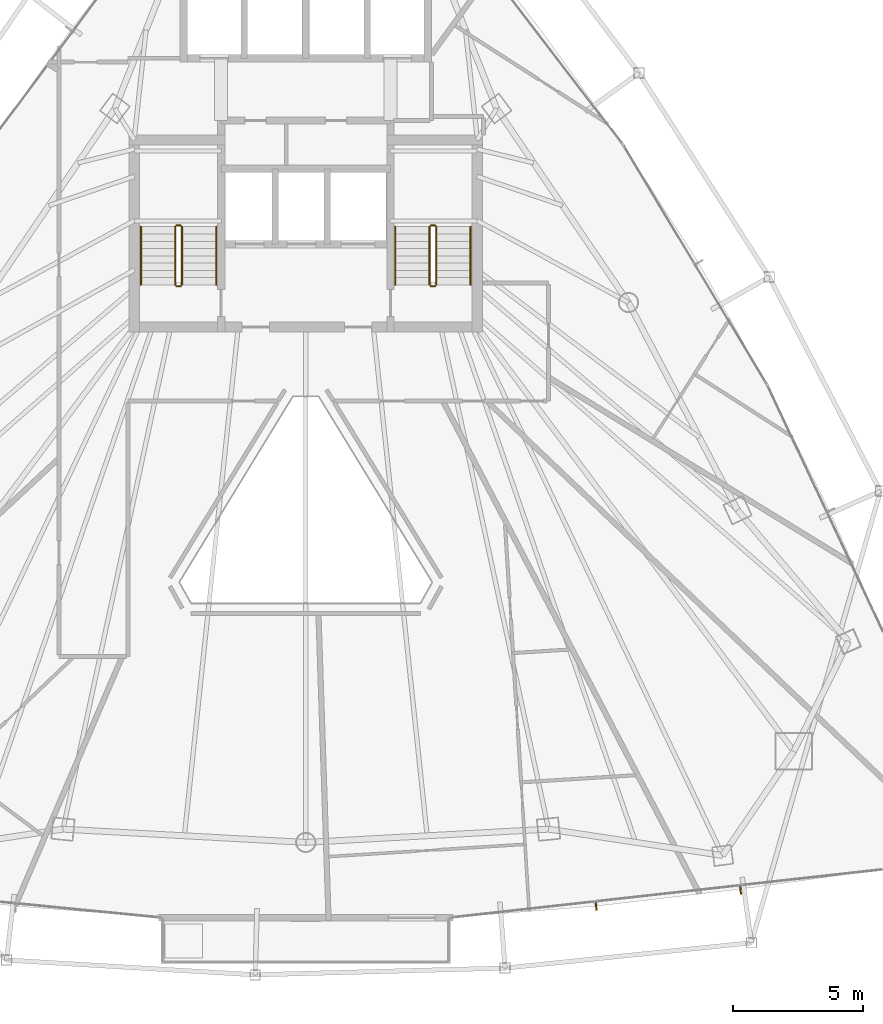
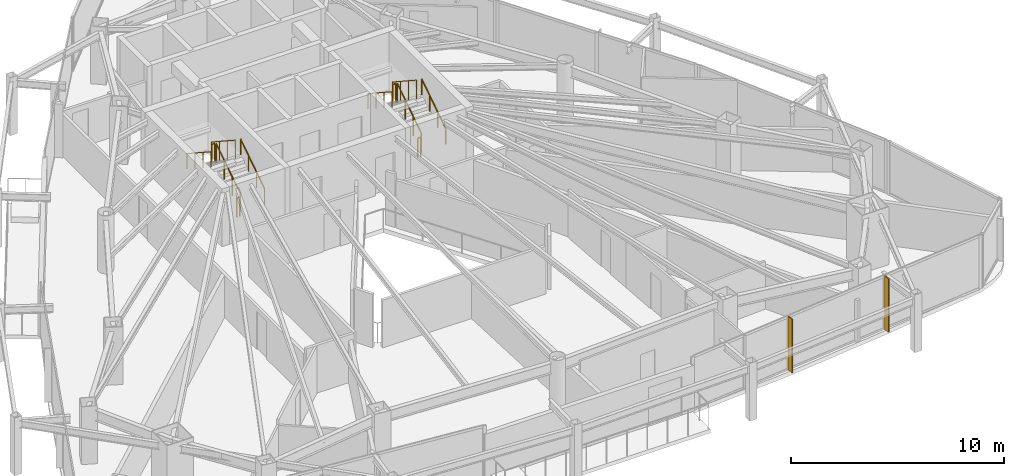
# One storey, part 28 of 29: 12 railings, 2 shading devices.
"""IFC4 building model written with IfcOpenShell, lengths in metres."""

from ifc_helpers import new_model, si_unit, direction, frame, origin, origin_2d, place, context, subcontext, project, spatial, rectangle, circle, extrude, material, layer, layer_set, type_object, element, save


model = new_model("IFC4")

# Units and contexts
model_context = context("Model", 3, precision=1e-05, world=origin(), true_north=direction((0.0, 1.0)))
body_context = subcontext(model_context, "Body", "Model", "MODEL_VIEW")
ifc_project = project(units=[si_unit("LENGTHUNIT", "METRE"), si_unit("AREAUNIT", "SQUARE_METRE"), si_unit("VOLUMEUNIT", "CUBIC_METRE"), si_unit("PLANEANGLEUNIT", "RADIAN"), si_unit("MASSUNIT", "GRAM", prefix="KILO")], contexts=[model_context])

# Site, building, storey
site_placement = place(None, origin())
site = spatial("IfcSite", under=ifc_project, at=site_placement, CompositionType="ELEMENT")
building_placement = place(site_placement, origin())
building = spatial("IfcBuilding", under=site, at=building_placement, Name="Orvanel Arch Residences", CompositionType="ELEMENT")
storey_placement = place(building_placement, frame((0.0, 0.0, 170.449951171875)))
storey = spatial("IfcBuildingStorey", under=building, at=storey_placement, Name="L48", CompositionType="ELEMENT", Elevation=170.449951171875)

# Shading devices
ifc_material_1 = material(Name="Bronze-anodised aluminium AA6063-T6", Category="aluminium")
ifc_layer = layer(ifc_material_1, 0.054931640625)
ifc_layer_set = layer_set([ifc_layer], Name="Bronze-anodised aluminium AA6063-T6")
shading_device_type = type_object("IfcShadingDeviceType", Name="FIN-BRZ-320", PredefinedType="USERDEFINED", material=ifc_layer_set)
for number, where, z_axis, x_axis, name in (
    (1, (44.18408203125, 4.382080078125, 0.0), (0.0, 0.0, 1.0), (0.111468932206, -0.993767919161, 0.0), "L48 Anodised Bronze Mullion FIN 01"),
    (2, (49.7490234375, 5.001953125, 0.0), (0.0, 0.0, 1.0), (0.111468932206, -0.993767919161, 0.0), "L48 Anodised Bronze Mullion FIN 02"),
):
    element("IfcShadingDevice", number, at=place(storey_placement, frame(where, z_axis=z_axis, x_axis=x_axis)), inside=storey, type_object=shading_device_type, Name=name, ObjectType="FIN", PredefinedType="USERDEFINED", context=body_context, shape_type="SweptSolid", body=[
        extrude(rectangle(XDim=0.320068359375, YDim=0.054931640625, at=origin_2d()), origin(), (0.0, 0.0, 1.0), 3.06005859375),
    ])

# Railings
ifc_material_2 = material(Name="Structural steel AS/NZS 1163 C350L0 (Grade 350)", Category="steel")
railing_type_1 = type_object("IfcRailingType", Name="RL-STAIR-GUARD", PredefinedType="GUARDRAIL", material=ifc_material_2)
railing_1_placement = place(storey_placement, frame((28.22998046875, 28.320068359375, 0.183349609375)))
element("IfcRailing", 3, at=railing_1_placement, inside=storey, type_object=railing_type_1, Name="L48 ST-1 stair guard 1", PredefinedType="GUARDRAIL", context=body_context, shape_type="SweptSolid", body=[
    extrude(circle(Radius=0.02392578125, at=origin_2d()), frame((0.0, 0.001220703125, 1.076904296875), z_axis=(0.0, 0.836595146698, 0.547821650285), x_axis=(-1.0, 0.0, 0.0)), (0.0, 0.0, 1.0), 2.674560546875),
    extrude(circle(Radius=0.02099609375, at=origin_2d()), origin(), (0.0, 0.0, 1.0), 1.050048828125),
    extrude(circle(Radius=0.02099609375, at=origin_2d()), frame((0.0, 0.74658203125, 0.489013671875)), (0.0, 0.0, 1.0), 1.050048828125),
    extrude(circle(Radius=0.02099609375, at=origin_2d()), frame((0.0, 1.493408203125, 0.977783203125)), (0.0, 0.0, 1.0), 1.050048828125),
    extrude(circle(Radius=0.02099609375, at=origin_2d()), frame((0.0, 2.239990234375, 1.466796875)), (0.0, 0.0, 1.0), 1.050048828125),
])
railing_2_placement = place(storey_placement, frame((28.179931640625, 30.610107421875, 1.650146484375)))
element("IfcRailing", 4, at=railing_2_placement, inside=storey, type_object=railing_type_1, Name="L48 ST-1 stair guard 2", PredefinedType="GUARDRAIL", context=body_context, shape_type="SweptSolid", body=[
    extrude(circle(Radius=0.02392578125, at=origin_2d()), frame((-0.00146484375, 0.0, 1.076171875), z_axis=(-1.0, 0.0, 0.0), x_axis=(0.0, -1.0, 0.0)), (0.0, 0.0, 1.0), 0.156982421875),
    extrude(circle(Radius=0.02099609375, at=origin_2d()), origin(), (0.0, 0.0, 1.0), 1.050048828125),
    extrude(circle(Radius=0.02099609375, at=origin_2d()), frame((-0.159912109375, 0.0, 0.0)), (0.0, 0.0, 1.0), 1.050048828125),
])
railing_3_placement = place(storey_placement, frame((27.969970703125, 30.56005859375, 1.83349609375)))
element("IfcRailing", 5, at=railing_3_placement, inside=storey, type_object=railing_type_1, Name="L48 ST-1 stair guard 3", PredefinedType="GUARDRAIL", context=body_context, shape_type="SweptSolid", body=[
    extrude(circle(Radius=0.02392578125, at=origin_2d()), frame((0.0, -0.001220703125, 1.076904296875), z_axis=(0.0, -0.836636935527, 0.547757827979), x_axis=(1.0, 0.0, 0.0)), (0.0, 0.0, 1.0), 2.67431640625),
    extrude(circle(Radius=0.02099609375, at=origin_2d()), origin(), (0.0, 0.0, 1.0), 1.050048828125),
    extrude(circle(Radius=0.02099609375, at=origin_2d()), frame((0.0, -0.74658203125, 0.48876953125)), (0.0, 0.0, 1.0), 1.050048828125),
    extrude(circle(Radius=0.02099609375, at=origin_2d()), frame((0.0, -1.493408203125, 0.977783203125)), (0.0, 0.0, 1.0), 1.050048828125),
    extrude(circle(Radius=0.02099609375, at=origin_2d()), frame((0.0, -2.239990234375, 1.466552734375)), (0.0, 0.0, 1.0), 1.050048828125),
])
railing_4_placement = place(storey_placement, frame((28.179931640625, 28.27001953125, 0.0)))
element("IfcRailing", 6, at=railing_4_placement, inside=storey, type_object=railing_type_1, Name="L48 ST-1 stair guard 4", PredefinedType="GUARDRAIL", context=body_context, shape_type="SweptSolid", body=[
    extrude(circle(Radius=0.02392578125, at=origin_2d()), frame((-0.00146484375, 0.0, 1.076171875), z_axis=(-1.0, 0.0, 0.0), x_axis=(0.0, -1.0, 0.0)), (0.0, 0.0, 1.0), 0.156982421875),
    extrude(circle(Radius=0.02099609375, at=origin_2d()), origin(), (0.0, 0.0, 1.0), 1.050048828125),
    extrude(circle(Radius=0.02099609375, at=origin_2d()), frame((-0.159912109375, 0.0, 0.0)), (0.0, 0.0, 1.0), 1.050048828125),
])
railing_5_placement = place(storey_placement, frame((38.030029296875, 28.320068359375, 0.183349609375)))
element("IfcRailing", 7, at=railing_5_placement, inside=storey, type_object=railing_type_1, Name="L48 ST-2 stair guard 1", PredefinedType="GUARDRAIL", context=body_context, shape_type="SweptSolid", body=[
    extrude(circle(Radius=0.02392578125, at=origin_2d()), frame((0.0, 0.001220703125, 1.076904296875), z_axis=(0.0, 0.836595146698, 0.547821650285), x_axis=(-1.0, 0.0, 0.0)), (0.0, 0.0, 1.0), 2.674560546875),
    extrude(circle(Radius=0.02099609375, at=origin_2d()), origin(), (0.0, 0.0, 1.0), 1.050048828125),
    extrude(circle(Radius=0.02099609375, at=origin_2d()), frame((0.0, 0.74658203125, 0.489013671875)), (0.0, 0.0, 1.0), 1.050048828125),
    extrude(circle(Radius=0.02099609375, at=origin_2d()), frame((0.0, 1.493408203125, 0.977783203125)), (0.0, 0.0, 1.0), 1.050048828125),
    extrude(circle(Radius=0.02099609375, at=origin_2d()), frame((0.0, 2.239990234375, 1.466796875)), (0.0, 0.0, 1.0), 1.050048828125),
])
railing_6_placement = place(storey_placement, frame((37.97998046875, 30.610107421875, 1.650146484375)))
element("IfcRailing", 8, at=railing_6_placement, inside=storey, type_object=railing_type_1, Name="L48 ST-2 stair guard 2", PredefinedType="GUARDRAIL", context=body_context, shape_type="SweptSolid", body=[
    extrude(circle(Radius=0.02392578125, at=origin_2d()), frame((-0.00146484375, 0.0, 1.076171875), z_axis=(-1.0, 0.0, 0.0), x_axis=(0.0, -1.0, 0.0)), (0.0, 0.0, 1.0), 0.156982421875),
    extrude(circle(Radius=0.02099609375, at=origin_2d()), origin(), (0.0, 0.0, 1.0), 1.050048828125),
    extrude(circle(Radius=0.02099609375, at=origin_2d()), frame((-0.159912109375, 0.0, 0.0)), (0.0, 0.0, 1.0), 1.050048828125),
])
railing_7_placement = place(storey_placement, frame((37.77001953125, 30.56005859375, 1.83349609375)))
element("IfcRailing", 9, at=railing_7_placement, inside=storey, type_object=railing_type_1, Name="L48 ST-2 stair guard 3", PredefinedType="GUARDRAIL", context=body_context, shape_type="SweptSolid", body=[
    extrude(circle(Radius=0.02392578125, at=origin_2d()), frame((0.0, -0.001220703125, 1.076904296875), z_axis=(0.0, -0.836636935527, 0.547757827979), x_axis=(1.0, 0.0, 0.0)), (0.0, 0.0, 1.0), 2.67431640625),
    extrude(circle(Radius=0.02099609375, at=origin_2d()), origin(), (0.0, 0.0, 1.0), 1.050048828125),
    extrude(circle(Radius=0.02099609375, at=origin_2d()), frame((0.0, -0.74658203125, 0.48876953125)), (0.0, 0.0, 1.0), 1.050048828125),
    extrude(circle(Radius=0.02099609375, at=origin_2d()), frame((0.0, -1.493408203125, 0.977783203125)), (0.0, 0.0, 1.0), 1.050048828125),
    extrude(circle(Radius=0.02099609375, at=origin_2d()), frame((0.0, -2.239990234375, 1.466552734375)), (0.0, 0.0, 1.0), 1.050048828125),
])
railing_8_placement = place(storey_placement, frame((37.97998046875, 28.27001953125, 0.0)))
element("IfcRailing", 10, at=railing_8_placement, inside=storey, type_object=railing_type_1, Name="L48 ST-2 stair guard 4", PredefinedType="GUARDRAIL", context=body_context, shape_type="SweptSolid", body=[
    extrude(circle(Radius=0.02392578125, at=origin_2d()), frame((-0.00146484375, 0.0, 1.076171875), z_axis=(-1.0, 0.0, 0.0), x_axis=(0.0, -1.0, 0.0)), (0.0, 0.0, 1.0), 0.156982421875),
    extrude(circle(Radius=0.02099609375, at=origin_2d()), origin(), (0.0, 0.0, 1.0), 1.050048828125),
    extrude(circle(Radius=0.02099609375, at=origin_2d()), frame((-0.159912109375, 0.0, 0.0)), (0.0, 0.0, 1.0), 1.050048828125),
])
railing_type_2 = type_object("IfcRailingType", Name="RL-STAIR-HAND", PredefinedType="HANDRAIL", material=ifc_material_2)
railing_9_placement = place(storey_placement, frame((29.550048828125, 28.320068359375, 0.183349609375)))
element("IfcRailing", 11, at=railing_9_placement, inside=storey, type_object=railing_type_2, Name="L48 ST-1 stair handrail 1", PredefinedType="HANDRAIL", context=body_context, shape_type="SweptSolid", body=[
    extrude(circle(Radius=0.02392578125, at=origin_2d()), frame((0.0, 0.001220703125, 0.876708984375), z_axis=(0.0, 0.836595146698, 0.547821650285), x_axis=(-1.0, 0.0, 0.0)), (0.0, 0.0, 1.0), 2.674560546875),
    extrude(circle(Radius=0.02099609375, at=origin_2d()), origin(), (0.0, 0.0, 1.0), 0.849853515625),
    extrude(circle(Radius=0.02099609375, at=origin_2d()), frame((0.0, 0.74658203125, 0.489013671875)), (0.0, 0.0, 1.0), 0.849853515625),
    extrude(circle(Radius=0.02099609375, at=origin_2d()), frame((0.0, 1.493408203125, 0.977783203125)), (0.0, 0.0, 1.0), 0.849853515625),
    extrude(circle(Radius=0.02099609375, at=origin_2d()), frame((0.0, 2.239990234375, 1.466796875)), (0.0, 0.0, 1.0), 0.849853515625),
])
railing_10_placement = place(storey_placement, frame((26.64990234375, 30.56005859375, 1.83349609375)))
element("IfcRailing", 12, at=railing_10_placement, inside=storey, type_object=railing_type_2, Name="L48 ST-1 stair handrail 2", PredefinedType="HANDRAIL", context=body_context, shape_type="SweptSolid", body=[
    extrude(circle(Radius=0.02392578125, at=origin_2d()), frame((0.0, -0.001220703125, 0.876708984375), z_axis=(0.0, -0.836636935527, 0.547757827979), x_axis=(1.0, 0.0, 0.0)), (0.0, 0.0, 1.0), 2.67431640625),
    extrude(circle(Radius=0.02099609375, at=origin_2d()), origin(), (0.0, 0.0, 1.0), 0.849853515625),
    extrude(circle(Radius=0.02099609375, at=origin_2d()), frame((0.0, -0.74658203125, 0.48876953125)), (0.0, 0.0, 1.0), 0.849853515625),
    extrude(circle(Radius=0.02099609375, at=origin_2d()), frame((0.0, -1.493408203125, 0.977783203125)), (0.0, 0.0, 1.0), 0.849853515625),
    extrude(circle(Radius=0.02099609375, at=origin_2d()), frame((0.0, -2.239990234375, 1.466552734375)), (0.0, 0.0, 1.0), 0.849853515625),
])
railing_11_placement = place(storey_placement, frame((39.35009765625, 28.320068359375, 0.183349609375)))
element("IfcRailing", 13, at=railing_11_placement, inside=storey, type_object=railing_type_2, Name="L48 ST-2 stair handrail 1", PredefinedType="HANDRAIL", context=body_context, shape_type="SweptSolid", body=[
    extrude(circle(Radius=0.02392578125, at=origin_2d()), frame((0.0, 0.001220703125, 0.876708984375), z_axis=(0.0, 0.836595146698, 0.547821650285), x_axis=(-1.0, 0.0, 0.0)), (0.0, 0.0, 1.0), 2.674560546875),
    extrude(circle(Radius=0.02099609375, at=origin_2d()), origin(), (0.0, 0.0, 1.0), 0.849853515625),
    extrude(circle(Radius=0.02099609375, at=origin_2d()), frame((0.0, 0.74658203125, 0.489013671875)), (0.0, 0.0, 1.0), 0.849853515625),
    extrude(circle(Radius=0.02099609375, at=origin_2d()), frame((0.0, 1.493408203125, 0.977783203125)), (0.0, 0.0, 1.0), 0.849853515625),
    extrude(circle(Radius=0.02099609375, at=origin_2d()), frame((0.0, 2.239990234375, 1.466796875)), (0.0, 0.0, 1.0), 0.849853515625),
])
railing_12_placement = place(storey_placement, frame((36.449951171875, 30.56005859375, 1.83349609375)))
element("IfcRailing", 14, at=railing_12_placement, inside=storey, type_object=railing_type_2, Name="L48 ST-2 stair handrail 2", PredefinedType="HANDRAIL", context=body_context, shape_type="SweptSolid", body=[
    extrude(circle(Radius=0.02392578125, at=origin_2d()), frame((0.0, -0.001220703125, 0.876708984375), z_axis=(0.0, -0.836636935527, 0.547757827979), x_axis=(1.0, 0.0, 0.0)), (0.0, 0.0, 1.0), 2.67431640625),
    extrude(circle(Radius=0.02099609375, at=origin_2d()), origin(), (0.0, 0.0, 1.0), 0.849853515625),
    extrude(circle(Radius=0.02099609375, at=origin_2d()), frame((0.0, -0.74658203125, 0.48876953125)), (0.0, 0.0, 1.0), 0.849853515625),
    extrude(circle(Radius=0.02099609375, at=origin_2d()), frame((0.0, -1.493408203125, 0.977783203125)), (0.0, 0.0, 1.0), 0.849853515625),
    extrude(circle(Radius=0.02099609375, at=origin_2d()), frame((0.0, -2.239990234375, 1.466552734375)), (0.0, 0.0, 1.0), 0.849853515625),
])

save(model, "model.ifc")
